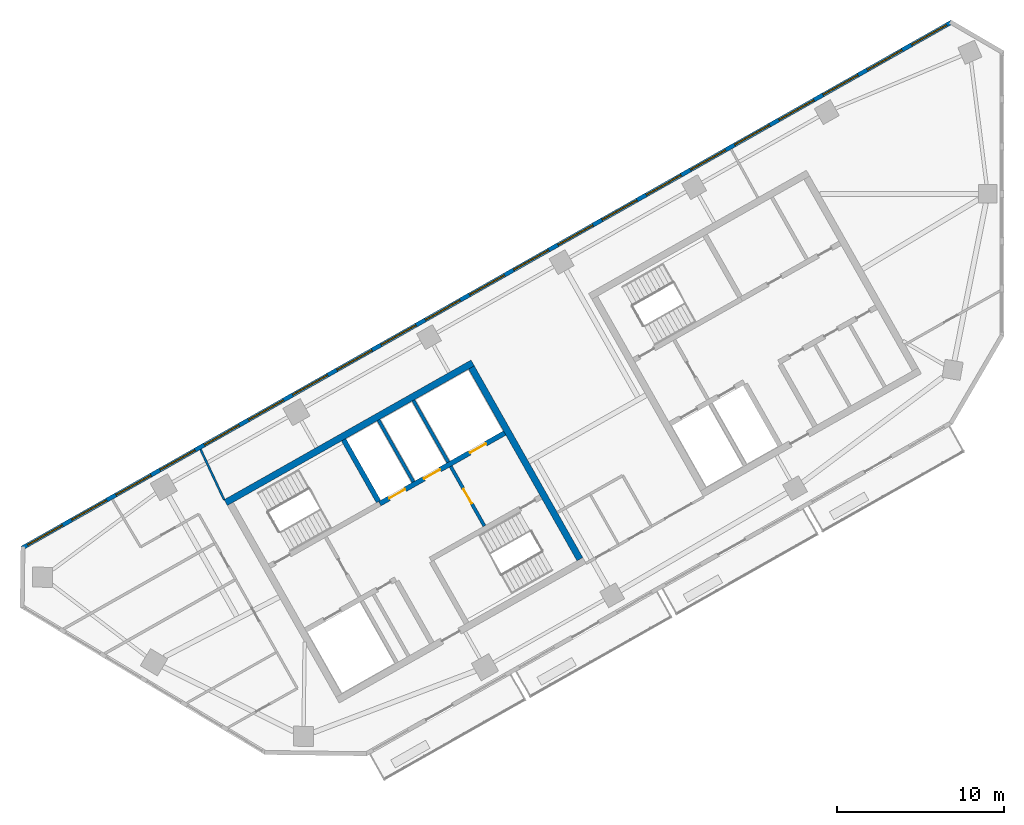
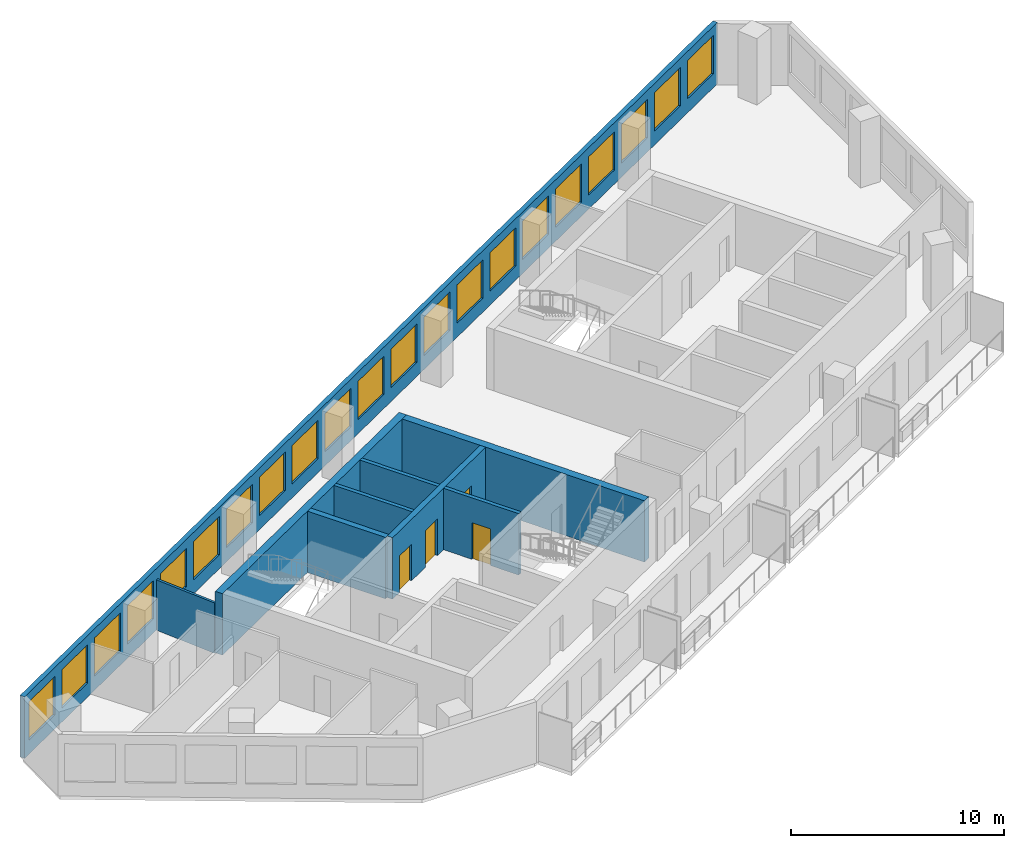
# One storey, part 3 of 7: 21 windows, 9 walls, 4 doors, 25 openings.
"""IFC4 building model written with IfcOpenShell, lengths in metres."""

import ifcopenshell
import ifcopenshell.guid

model = None  # the IFC model being written
_history = None  # IfcOwnerHistory: only IFC2X3 demands one
_inside = {}  # id of a spatial element -> (the spatial element, [elements in it])
_under = {}  # id of a project, library or spatial element -> (it, [spatial elements below it])
_declared = {}  # id of a project -> (the project, [libraries it declares])
_typed = {}  # id of a type object -> (the type object, [elements of that type])
_made_of = {}  # id of a material, layer set ... -> (it, [elements and type objects made of it])


def new_model(schema):
    """Start an empty IFC model of exactly this schema.

    Asked for "IFC4X3", IfcOpenShell would pick the latest addendum, in which some entities
    have other attributes; the version numbers below select the first issue.
    IFC2X3 requires an IfcOwnerHistory on every rooted entity: one is made here for all.
    """
    global model, _history
    if schema == "IFC4X3":
        model = ifcopenshell.file(schema_version=(4, 3, 0, 0))
    else:
        model = ifcopenshell.file(schema=schema)
    _inside.clear()
    _under.clear()
    _declared.clear()
    _typed.clear()
    _made_of.clear()
    _history = None
    if model.schema == "IFC2X3":
        org = make("IfcOrganization", Name="unknown")
        user = make(
            "IfcPersonAndOrganization",
            ThePerson=make("IfcPerson", FamilyName="unknown"),
            TheOrganization=org,
        )
        app = make(
            "IfcApplication",
            ApplicationDeveloper=org,
            Version="unknown",
            ApplicationFullName="unknown",
            ApplicationIdentifier="unknown",
        )
        _history = make(
            "IfcOwnerHistory",
            OwningUser=user,
            OwningApplication=app,
            ChangeAction="ADDED",
            CreationDate=0,
        )
    return model


def make(cls, **values):
    """One entity of the class cls with the attributes given. An attribute that is None is left unset."""
    return model.create_entity(
        cls, **{name: value for name, value in values.items() if value is not None}
    )


def rooted(cls, **values):
    """An entity with a GlobalId (a new one), such as an element, a storey or a relation."""
    return make(cls, GlobalId=ifcopenshell.guid.new(), OwnerHistory=_history, **values)


def si_unit(unit_type, name, prefix=None):
    """IfcSIUnit, for example si_unit("LENGTHUNIT", "METRE", prefix="MILLI")."""
    return make("IfcSIUnit", UnitType=unit_type, Prefix=prefix, Name=name)


def assignment(units):
    """IfcUnitAssignment: the units of a project."""
    return None if units is None else make("IfcUnitAssignment", Units=units)


def point(xyz):
    """IfcCartesianPoint."""
    return None if xyz is None else make("IfcCartesianPoint", Coordinates=xyz)


def direction(xyz):
    """IfcDirection."""
    return None if xyz is None else make("IfcDirection", DirectionRatios=xyz)


def frame(location, z_axis=None, x_axis=None):
    """IfcAxis2Placement3D, a coordinate frame: its origin and axes. An axis left out is left unset."""
    return make(
        "IfcAxis2Placement3D",
        Location=point(location),
        Axis=direction(z_axis),
        RefDirection=direction(x_axis),
    )


def frame_2d(location, x_axis=None):
    """IfcAxis2Placement2D, a coordinate frame in the plane: its origin and x axis."""
    return make(
        "IfcAxis2Placement2D", Location=point(location), RefDirection=direction(x_axis)
    )


def origin():
    """The frame at (0, 0, 0) with its axes left unset."""
    return frame((0.0, 0.0, 0.0))


def place(relative_to, where):
    """IfcLocalPlacement: puts the frame where relative to a parent placement (None: the world)."""
    return make(
        "IfcLocalPlacement", PlacementRelTo=relative_to, RelativePlacement=where
    )


def context(
    kind, dimensions, precision=None, world=None, true_north=None, identifier=None
):
    """IfcGeometricRepresentationContext, for example the 3D "Model" context."""
    return make(
        "IfcGeometricRepresentationContext",
        ContextIdentifier=identifier,
        ContextType=kind,
        CoordinateSpaceDimension=dimensions,
        Precision=precision,
        WorldCoordinateSystem=world,
        TrueNorth=true_north,
    )


def subcontext(parent, identifier, kind, view, scale=None):
    """IfcGeometricRepresentationSubContext, for example "Body" below "Model"."""
    return make(
        "IfcGeometricRepresentationSubContext",
        ContextIdentifier=identifier,
        ContextType=kind,
        ParentContext=parent,
        TargetScale=scale,
        TargetView=view,
    )


def project(units=None, contexts=None):
    """IfcProject with its units and contexts."""
    return rooted(
        "IfcProject",
        Name="project",
        RepresentationContexts=contexts,
        UnitsInContext=assignment(units),
    )


def spatial(cls, under=None, at=None, **own):
    """A site, building, storey or space (cls), placed at a placement, below another one or the project."""
    s = rooted(cls, ObjectPlacement=at, **own)
    if under is not None:
        _under.setdefault(under.id(), (under, []))[1].append(s)
    return s


def profile(cls, at=None, kind="AREA", **sizes):
    """A parametric profile (cls). Its sizes go by their IFC names, for example OverallWidth=200.0."""
    return make(cls, ProfileType=kind, Position=at, **sizes)


def rectangle(**sizes):
    """IfcRectangleProfileDef."""
    return profile("IfcRectangleProfileDef", **sizes)


def extrude(swept, where, along, depth):
    """IfcExtrudedAreaSolid: the profile swept, set in the frame where, extruded along a direction by depth."""
    return make(
        "IfcExtrudedAreaSolid",
        SweptArea=swept,
        Position=where,
        ExtrudedDirection=direction(along),
        Depth=depth,
    )


def shape(context_of_items, identifier, shape_type, items):
    """IfcShapeRepresentation: the items that make up one representation, for example the "Body"."""
    return make(
        "IfcShapeRepresentation",
        ContextOfItems=context_of_items,
        RepresentationIdentifier=identifier,
        RepresentationType=shape_type,
        Items=items,
    )


def material(Name=None, Category=None):
    """IfcMaterial."""
    return make("IfcMaterial", Name=Name, Category=Category)


def layer(
    of_material, thickness, ventilated=None, Name=None, Category=None, Priority=None
):
    """IfcMaterialLayer: one layer of a wall or slab, of a material (None: an air gap)."""
    return make(
        "IfcMaterialLayer",
        Material=of_material,
        LayerThickness=thickness,
        IsVentilated=ventilated,
        Name=Name,
        Category=Category,
        Priority=Priority,
    )


def layer_set(layers, Name=None):
    """IfcMaterialLayerSet."""
    return make("IfcMaterialLayerSet", MaterialLayers=layers, LayerSetName=Name)


def made_of(thing, what):
    """Note that an element or type object is made of a material, layer set ...; save() writes the relation."""
    if what is not None:
        _made_of.setdefault(what.id(), (what, []))[1].append(thing)
    return thing


def type_object(cls, material=None, **own):
    """A type object (cls), such as IfcWallType, which elements share."""
    return made_of(rooted(cls, **own), material)


def element(
    cls,
    number,
    at=None,
    inside=None,
    cuts=None,
    type_object=None,
    material=None,
    context=None,
    identifier="Body",
    shape_type=None,
    held_by="IfcProductDefinitionShape",
    body=None,
    shapes=None,
    **own,
):
    """One element of the class cls, such as IfcWall. Its Tag is "e" and its number.

    at: its placement. inside: the storey or other place that contains it. cuts: it is an
    opening in that element (IfcRelVoidsElement). A single representation is given by context,
    identifier, shape_type and body (its items); several are given by shapes. held_by: the class
    of the entity that holds the representations. save() writes the other relations.
    """
    e = rooted(cls, Tag="e%d" % number, ObjectPlacement=at, **own)
    if body is not None:
        shapes = [shape(context, identifier, shape_type, body)]
    if shapes is not None:
        e.Representation = make(held_by, Representations=shapes)
    if inside is not None:
        _inside.setdefault(inside.id(), (inside, []))[1].append(e)
    if cuts is not None:
        rooted(
            "IfcRelVoidsElement", RelatingBuildingElement=cuts, RelatedOpeningElement=e
        )
    if type_object is not None:
        _typed.setdefault(type_object.id(), (type_object, []))[1].append(e)
    return made_of(e, material)


def fill(opening, filler):
    """IfcRelFillsElement: the door or window that sits in an opening."""
    return rooted(
        "IfcRelFillsElement",
        RelatingOpeningElement=opening,
        RelatedBuildingElement=filler,
    )


def aggregate(whole, parts):
    """IfcRelAggregates: a whole, such as a stair, and the parts it consists of."""
    return rooted("IfcRelAggregates", RelatingObject=whole, RelatedObjects=parts)


def save(model, path):
    """Write the relations noted so far, then the file.

    IfcRelAggregates (storeys below a building ...), IfcRelContainedInSpatialStructure (elements
    in a storey), IfcRelDefinesByType, IfcRelAssociatesMaterial and IfcRelDeclares: one each for
    every whole, place, type object, material and project.
    """
    for whole, parts in _under.values():
        aggregate(whole, parts)
    for where, things in _inside.values():
        rooted(
            "IfcRelContainedInSpatialStructure",
            RelatedElements=things,
            RelatingStructure=where,
        )
    for kind, things in _typed.values():
        rooted("IfcRelDefinesByType", RelatedObjects=things, RelatingType=kind)
    for what, things in _made_of.values():
        rooted("IfcRelAssociatesMaterial", RelatedObjects=things, RelatingMaterial=what)
    for by, libraries in _declared.values():
        rooted("IfcRelDeclares", RelatingContext=by, RelatedDefinitions=libraries)
    model.write(path)


model = new_model("IFC4")

# Units and contexts
model_context = context("Model", 3, precision=1e-05, world=origin(), true_north=direction((0.0, 1.0)))
body_context = subcontext(model_context, "Body", "Model", "MODEL_VIEW")
ifc_project = project(units=[si_unit("LENGTHUNIT", "METRE"), si_unit("AREAUNIT", "SQUARE_METRE"), si_unit("VOLUMEUNIT", "CUBIC_METRE"), si_unit("PLANEANGLEUNIT", "RADIAN"), si_unit("MASSUNIT", "GRAM", prefix="KILO")], contexts=[model_context])

# Site, building, storey
site_placement = place(None, origin())
site = spatial("IfcSite", under=ifc_project, at=site_placement, CompositionType="ELEMENT")
building_placement = place(site_placement, origin())
building = spatial("IfcBuilding", under=site, at=building_placement, Name="Binnacle Exchange Tower", CompositionType="ELEMENT")
storey_placement = place(building_placement, frame((0.0, 0.0, 296.89990234375)))
storey = spatial("IfcBuildingStorey", under=building, at=storey_placement, Name="L66", CompositionType="ELEMENT", Elevation=296.89990234375)

# Wall, openings, doors
ifc_material_1 = material(Name="Concrete C70/85", Category="concrete")
ifc_layer_1 = layer(ifc_material_1, 0.300048828125)
ifc_layer_set_1 = layer_set([ifc_layer_1], Name="Core wall - front 300")
wall_type_1 = type_object("IfcWallType", Name="Core wall - front 300", PredefinedType="SOLIDWALL", material=ifc_layer_set_1)
wall_1_placement = place(storey_placement, frame((-37.281982421875, 41.4345703125, 0.0), z_axis=(0.0, 0.0, 1.0), x_axis=(0.870361315115, 0.492413628113, 0.0)))
wall_1 = element("IfcWall", 1, at=wall_1_placement, inside=storey, type_object=wall_type_1, Name="Core wall CRWA5", PredefinedType="SOLIDWALL", context=body_context, shape_type="SweptSolid", body=[
    extrude(rectangle(XDim=8.599609375, YDim=0.300048828125, at=frame_2d((4.2998046875, 0.0))), origin(), (0.0, 0.0, 1.0), 3.52001953125),
])
opening_1_placement = place(wall_1_placement, frame((0.650146484375, 0.0, 0.0)))
opening_1 = element("IfcOpeningElement", 2, at=opening_1_placement, cuts=wall_1, Name="Opening LD9", PredefinedType="OPENING", context=body_context, shape_type="SweptSolid", body=[
    extrude(rectangle(XDim=1.10009765625, YDim=2.10009765625, at=frame_2d((0.550048828125, 1.050048828125))), frame((0.0, 0.159912109375, 0.0), z_axis=(0.0, -1.0, 0.0), x_axis=(1.0, 0.0, 0.0)), (0.0, 0.0, 1.0), 0.320068359375),
])
opening_2_placement = place(wall_1_placement, frame((3.050048828125, 0.0, 0.0)))
opening_2 = element("IfcOpeningElement", 3, at=opening_2_placement, cuts=wall_1, Name="Opening LD10", PredefinedType="OPENING", context=body_context, shape_type="SweptSolid", body=[
    extrude(rectangle(XDim=1.10009765625, YDim=2.10009765625, at=frame_2d((0.550048828125, 1.050048828125))), frame((0.0, 0.159912109375, 0.0), z_axis=(0.0, -1.0, 0.0), x_axis=(1.0, 0.0, 0.0)), (0.0, 0.0, 1.0), 0.320068359375),
])
opening_3_placement = place(wall_1_placement, frame((6.199951171875, 0.0, 0.0)))
opening_3 = element("IfcOpeningElement", 4, at=opening_3_placement, cuts=wall_1, Name="Opening LD13", PredefinedType="OPENING", context=body_context, shape_type="SweptSolid", body=[
    extrude(rectangle(XDim=1.10009765625, YDim=2.10009765625, at=frame_2d((0.550048828125, 1.050048828125))), frame((0.0, 0.159912109375, 0.0), z_axis=(0.0, -1.0, 0.0), x_axis=(1.0, 0.0, 0.0)), (0.0, 0.0, 1.0), 0.320068359375),
])
ifc_material_2 = material(Name="Steel door leaf", Category="steel")
door_type_1 = type_object("IfcDoorType", Name="Fire door - lift landing 1100", OperationType="NOTDEFINED", PredefinedType="DOOR", material=ifc_material_2)
door_1_placement = place(opening_1_placement, origin())
door_1 = element("IfcDoor", 5, at=door_1_placement, inside=storey, type_object=door_type_1, Name="Landing door LD9 L66", OperationType="DOUBLE_DOOR_SLIDING", OverallHeight=2.10009765625, OverallWidth=1.10009765625, PredefinedType="DOOR", context=body_context, shape_type="SweptSolid", body=[
    extrude(rectangle(XDim=1.10009765625, YDim=2.10009765625, at=frame_2d((0.550048828125, 1.050048828125))), frame((0.0, 0.02490234375, 0.0), z_axis=(0.0, -1.0, 0.0), x_axis=(1.0, 0.0, 0.0)), (0.0, 0.0, 1.0), 0.050048828125),
])
fill(opening_1, door_1)
door_2_placement = place(opening_2_placement, origin())
door_2 = element("IfcDoor", 6, at=door_2_placement, inside=storey, type_object=door_type_1, Name="Landing door LD10 L66", OperationType="DOUBLE_DOOR_SLIDING", OverallHeight=2.10009765625, OverallWidth=1.10009765625, PredefinedType="DOOR", context=body_context, shape_type="SweptSolid", body=[
    extrude(rectangle(XDim=1.10009765625, YDim=2.10009765625, at=frame_2d((0.550048828125, 1.050048828125))), frame((0.0, 0.02490234375, 0.0), z_axis=(0.0, -1.0, 0.0), x_axis=(1.0, 0.0, 0.0)), (0.0, 0.0, 1.0), 0.050048828125),
])
fill(opening_2, door_2)
door_3_placement = place(opening_3_placement, origin())
door_3 = element("IfcDoor", 7, at=door_3_placement, inside=storey, type_object=door_type_1, Name="Landing door LD13 L66", OperationType="DOUBLE_DOOR_SLIDING", OverallHeight=2.10009765625, OverallWidth=1.10009765625, PredefinedType="DOOR", context=body_context, shape_type="SweptSolid", body=[
    extrude(rectangle(XDim=1.10009765625, YDim=2.10009765625, at=frame_2d((0.550048828125, 1.050048828125))), frame((0.0, 0.02490234375, 0.0), z_axis=(0.0, -1.0, 0.0), x_axis=(1.0, 0.0, 0.0)), (0.0, 0.0, 1.0), 0.050048828125),
])
fill(opening_3, door_3)

# Walls
ifc_layer_2 = layer(ifc_material_1, 0.39990234375)
ifc_layer_set_2 = layer_set([ifc_layer_2], Name="Core wall - outer 400")
wall_type_2 = type_object("IfcWallType", Name="Core wall - outer 400", PredefinedType="SOLIDWALL", material=ifc_layer_set_2)
wall_2_placement = place(storey_placement, frame((-46.510009765625, 41.498779296875, 0.0), z_axis=(0.0, 0.0, 1.0), x_axis=(0.870356271124, 0.492422543467, 0.0)))
element("IfcWall", 8, at=wall_2_placement, inside=storey, type_object=wall_type_2, Name="Core wall CRWA6", PredefinedType="SOLIDWALL", context=body_context, shape_type="SweptSolid", body=[
    extrude(rectangle(XDim=16.999755859375, YDim=0.39990234375, at=frame_2d((8.5, 0.0))), origin(), (0.0, 0.0, 1.0), 3.52001953125),
])
wall_3_placement = place(storey_placement, frame((-31.78955078125, 49.597412109375, 0.0), z_axis=(0.0, 0.0, 1.0), x_axis=(0.492421663121, -0.870356769198, 0.0)))
element("IfcWall", 9, at=wall_3_placement, inside=storey, type_object=wall_type_2, Name="Core wall CRWA22", PredefinedType="SOLIDWALL", context=body_context, shape_type="SweptSolid", body=[
    extrude(rectangle(XDim=13.199951171875, YDim=0.39990234375, at=frame_2d((6.60009765625, 0.0))), origin(), (0.0, 0.0, 1.0), 3.52001953125),
])
ifc_layer_3 = layer(ifc_material_1, 0.300048828125)
ifc_layer_set_3 = layer_set([ifc_layer_3], Name="Core wall - stair 300")
wall_type_3 = type_object("IfcWallType", Name="Core wall - stair 300", PredefinedType="SOLIDWALL", material=ifc_layer_set_3)
wall_4_placement = place(storey_placement, frame((-39.44873046875, 45.263916015625, 0.0), z_axis=(0.0, 0.0, 1.0), x_axis=(0.492422543467, -0.870356271124, 0.0)))
element("IfcWall", 10, at=wall_4_placement, inside=storey, type_object=wall_type_3, Name="Core wall CRWA14", PredefinedType="SOLIDWALL", context=body_context, shape_type="SweptSolid", body=[
    extrude(rectangle(XDim=4.25, YDim=0.300048828125, at=frame_2d((2.125, 0.0))), origin(), (0.0, 0.0, 1.0), 3.52001953125),
])

# Wall, openings, windows
ifc_material_3 = material(Name="Bronze aluminium cladding", Category="aluminium")
ifc_layer_4 = layer(ifc_material_3, 0.25)
ifc_layer_set_4 = layer_set([ifc_layer_4], Name="External wall - window wall 250")
wall_type_4 = type_object("IfcWallType", Name="External wall - window wall 250", PredefinedType="STANDARD", material=ifc_layer_set_4)
wall_5_placement = place(storey_placement, frame((-58.732177734375, 38.770751953125, 0.0), z_axis=(0.0, 0.0, 1.0), x_axis=(0.870355615581, 0.492423702137, 0.0)))
wall_5 = element("IfcWall", 11, at=wall_5_placement, inside=storey, type_object=wall_type_4, Name="External wall EW-H03 L66", PredefinedType="STANDARD", context=body_context, shape_type="SweptSolid", body=[
    extrude(rectangle(XDim=64.052490234375, YDim=0.25, at=frame_2d((32.0263671875, 0.0))), origin(), (0.0, 0.0, 1.0), 3.52001953125),
])
opening_4_placement = place(wall_5_placement, frame((61.25927734375, 0.0, 0.800048828125)))
opening_4 = element("IfcOpeningElement", 12, at=opening_4_placement, cuts=wall_5, Name="Opening WR2", PredefinedType="OPENING", context=body_context, shape_type="SweptSolid", body=[
    extrude(rectangle(XDim=2.39990234375, YDim=2.199951171875, at=frame_2d((1.199951171875, 1.10009765625))), frame((0.0, 0.135009765625, 0.0), z_axis=(0.0, -1.0, 0.0), x_axis=(1.0, 0.0, 0.0)), (0.0, 0.0, 1.0), 0.27001953125),
])
opening_5_placement = place(wall_5_placement, frame((58.2158203125, 0.0, 0.800048828125)))
opening_5 = element("IfcOpeningElement", 13, at=opening_5_placement, cuts=wall_5, Name="Opening WR2", PredefinedType="OPENING", context=body_context, shape_type="SweptSolid", body=[
    extrude(rectangle(XDim=2.39990234375, YDim=2.199951171875, at=frame_2d((1.199951171875, 1.10009765625))), frame((0.0, 0.135009765625, 0.0), z_axis=(0.0, -1.0, 0.0), x_axis=(1.0, 0.0, 0.0)), (0.0, 0.0, 1.0), 0.27001953125),
])
opening_6_placement = place(wall_5_placement, frame((55.172607421875, 0.0, 0.800048828125)))
opening_6 = element("IfcOpeningElement", 14, at=opening_6_placement, cuts=wall_5, Name="Opening WR2", PredefinedType="OPENING", context=body_context, shape_type="SweptSolid", body=[
    extrude(rectangle(XDim=2.39990234375, YDim=2.199951171875, at=frame_2d((1.199951171875, 1.10009765625))), frame((0.0, 0.135009765625, 0.0), z_axis=(0.0, -1.0, 0.0), x_axis=(1.0, 0.0, 0.0)), (0.0, 0.0, 1.0), 0.27001953125),
])
opening_7_placement = place(wall_5_placement, frame((52.12939453125, 0.0, 0.800048828125)))
opening_7 = element("IfcOpeningElement", 15, at=opening_7_placement, cuts=wall_5, Name="Opening WR2", PredefinedType="OPENING", context=body_context, shape_type="SweptSolid", body=[
    extrude(rectangle(XDim=2.39990234375, YDim=2.199951171875, at=frame_2d((1.199951171875, 1.10009765625))), frame((0.0, 0.135009765625, 0.0), z_axis=(0.0, -1.0, 0.0), x_axis=(1.0, 0.0, 0.0)), (0.0, 0.0, 1.0), 0.27001953125),
])
opening_8_placement = place(wall_5_placement, frame((49.0859375, 0.0, 0.800048828125)))
opening_8 = element("IfcOpeningElement", 16, at=opening_8_placement, cuts=wall_5, Name="Opening WR2", PredefinedType="OPENING", context=body_context, shape_type="SweptSolid", body=[
    extrude(rectangle(XDim=2.39990234375, YDim=2.199951171875, at=frame_2d((1.199951171875, 1.10009765625))), frame((0.0, 0.135009765625, 0.0), z_axis=(0.0, -1.0, 0.0), x_axis=(1.0, 0.0, 0.0)), (0.0, 0.0, 1.0), 0.27001953125),
])
opening_9_placement = place(wall_5_placement, frame((46.042724609375, 0.0, 0.800048828125)))
opening_9 = element("IfcOpeningElement", 17, at=opening_9_placement, cuts=wall_5, Name="Opening WR2", PredefinedType="OPENING", context=body_context, shape_type="SweptSolid", body=[
    extrude(rectangle(XDim=2.39990234375, YDim=2.199951171875, at=frame_2d((1.199951171875, 1.10009765625))), frame((0.0, 0.135009765625, 0.0), z_axis=(0.0, -1.0, 0.0), x_axis=(1.0, 0.0, 0.0)), (0.0, 0.0, 1.0), 0.27001953125),
])
opening_10_placement = place(wall_5_placement, frame((42.99951171875, 0.0, 0.800048828125)))
opening_10 = element("IfcOpeningElement", 18, at=opening_10_placement, cuts=wall_5, Name="Opening WR2", PredefinedType="OPENING", context=body_context, shape_type="SweptSolid", body=[
    extrude(rectangle(XDim=2.39990234375, YDim=2.199951171875, at=frame_2d((1.199951171875, 1.10009765625))), frame((0.0, 0.135009765625, 0.0), z_axis=(0.0, -1.0, 0.0), x_axis=(1.0, 0.0, 0.0)), (0.0, 0.0, 1.0), 0.27001953125),
])
opening_11_placement = place(wall_5_placement, frame((39.956298828125, 0.0, 0.800048828125)))
opening_11 = element("IfcOpeningElement", 19, at=opening_11_placement, cuts=wall_5, Name="Opening WR2", PredefinedType="OPENING", context=body_context, shape_type="SweptSolid", body=[
    extrude(rectangle(XDim=2.39990234375, YDim=2.199951171875, at=frame_2d((1.199951171875, 1.10009765625))), frame((0.0, 0.135009765625, 0.0), z_axis=(0.0, -1.0, 0.0), x_axis=(1.0, 0.0, 0.0)), (0.0, 0.0, 1.0), 0.27001953125),
])
opening_12_placement = place(wall_5_placement, frame((36.912841796875, 0.0, 0.800048828125)))
opening_12 = element("IfcOpeningElement", 20, at=opening_12_placement, cuts=wall_5, Name="Opening WR2", PredefinedType="OPENING", context=body_context, shape_type="SweptSolid", body=[
    extrude(rectangle(XDim=2.39990234375, YDim=2.199951171875, at=frame_2d((1.199951171875, 1.10009765625))), frame((0.0, 0.135009765625, 0.0), z_axis=(0.0, -1.0, 0.0), x_axis=(1.0, 0.0, 0.0)), (0.0, 0.0, 1.0), 0.27001953125),
])
opening_13_placement = place(wall_5_placement, frame((33.86962890625, 0.0, 0.800048828125)))
opening_13 = element("IfcOpeningElement", 21, at=opening_13_placement, cuts=wall_5, Name="Opening WR2", PredefinedType="OPENING", context=body_context, shape_type="SweptSolid", body=[
    extrude(rectangle(XDim=2.39990234375, YDim=2.199951171875, at=frame_2d((1.199951171875, 1.10009765625))), frame((0.0, 0.135009765625, 0.0), z_axis=(0.0, -1.0, 0.0), x_axis=(1.0, 0.0, 0.0)), (0.0, 0.0, 1.0), 0.27001953125),
])
opening_14_placement = place(wall_5_placement, frame((30.826416015625, 0.0, 0.800048828125)))
opening_14 = element("IfcOpeningElement", 22, at=opening_14_placement, cuts=wall_5, Name="Opening WR2", PredefinedType="OPENING", context=body_context, shape_type="SweptSolid", body=[
    extrude(rectangle(XDim=2.39990234375, YDim=2.199951171875, at=frame_2d((1.199951171875, 1.10009765625))), frame((0.0, 0.135009765625, 0.0), z_axis=(0.0, -1.0, 0.0), x_axis=(1.0, 0.0, 0.0)), (0.0, 0.0, 1.0), 0.27001953125),
])
opening_15_placement = place(wall_5_placement, frame((27.782958984375, 0.0, 0.800048828125)))
opening_15 = element("IfcOpeningElement", 23, at=opening_15_placement, cuts=wall_5, Name="Opening WR2", PredefinedType="OPENING", context=body_context, shape_type="SweptSolid", body=[
    extrude(rectangle(XDim=2.39990234375, YDim=2.199951171875, at=frame_2d((1.199951171875, 1.10009765625))), frame((0.0, 0.135009765625, 0.0), z_axis=(0.0, -1.0, 0.0), x_axis=(1.0, 0.0, 0.0)), (0.0, 0.0, 1.0), 0.27001953125),
])
opening_16_placement = place(wall_5_placement, frame((24.73974609375, 0.0, 0.800048828125)))
opening_16 = element("IfcOpeningElement", 24, at=opening_16_placement, cuts=wall_5, Name="Opening WR2", PredefinedType="OPENING", context=body_context, shape_type="SweptSolid", body=[
    extrude(rectangle(XDim=2.39990234375, YDim=2.199951171875, at=frame_2d((1.199951171875, 1.10009765625))), frame((0.0, 0.135009765625, 0.0), z_axis=(0.0, -1.0, 0.0), x_axis=(1.0, 0.0, 0.0)), (0.0, 0.0, 1.0), 0.27001953125),
])
opening_17_placement = place(wall_5_placement, frame((21.6962890625, 0.0, 0.800048828125)))
opening_17 = element("IfcOpeningElement", 25, at=opening_17_placement, cuts=wall_5, Name="Opening WR2", PredefinedType="OPENING", context=body_context, shape_type="SweptSolid", body=[
    extrude(rectangle(XDim=2.39990234375, YDim=2.199951171875, at=frame_2d((1.199951171875, 1.10009765625))), frame((0.0, 0.135009765625, 0.0), z_axis=(0.0, -1.0, 0.0), x_axis=(1.0, 0.0, 0.0)), (0.0, 0.0, 1.0), 0.27001953125),
])
opening_18_placement = place(wall_5_placement, frame((18.6533203125, 0.0, 0.800048828125)))
opening_18 = element("IfcOpeningElement", 26, at=opening_18_placement, cuts=wall_5, Name="Opening WR2", PredefinedType="OPENING", context=body_context, shape_type="SweptSolid", body=[
    extrude(rectangle(XDim=2.39990234375, YDim=2.199951171875, at=frame_2d((1.199951171875, 1.10009765625))), frame((0.0, 0.135009765625, 0.0), z_axis=(0.0, -1.0, 0.0), x_axis=(1.0, 0.0, 0.0)), (0.0, 0.0, 1.0), 0.27001953125),
])
opening_19_placement = place(wall_5_placement, frame((15.60986328125, 0.0, 0.800048828125)))
opening_19 = element("IfcOpeningElement", 27, at=opening_19_placement, cuts=wall_5, Name="Opening WR2", PredefinedType="OPENING", context=body_context, shape_type="SweptSolid", body=[
    extrude(rectangle(XDim=2.39990234375, YDim=2.199951171875, at=frame_2d((1.199951171875, 1.10009765625))), frame((0.0, 0.135009765625, 0.0), z_axis=(0.0, -1.0, 0.0), x_axis=(1.0, 0.0, 0.0)), (0.0, 0.0, 1.0), 0.27001953125),
])
opening_20_placement = place(wall_5_placement, frame((12.566650390625, 0.0, 0.800048828125)))
opening_20 = element("IfcOpeningElement", 28, at=opening_20_placement, cuts=wall_5, Name="Opening WR2", PredefinedType="OPENING", context=body_context, shape_type="SweptSolid", body=[
    extrude(rectangle(XDim=2.39990234375, YDim=2.199951171875, at=frame_2d((1.199951171875, 1.10009765625))), frame((0.0, 0.135009765625, 0.0), z_axis=(0.0, -1.0, 0.0), x_axis=(1.0, 0.0, 0.0)), (0.0, 0.0, 1.0), 0.27001953125),
])
opening_21_placement = place(wall_5_placement, frame((9.523193359375, 0.0, 0.800048828125)))
opening_21 = element("IfcOpeningElement", 29, at=opening_21_placement, cuts=wall_5, Name="Opening WR2", PredefinedType="OPENING", context=body_context, shape_type="SweptSolid", body=[
    extrude(rectangle(XDim=2.39990234375, YDim=2.199951171875, at=frame_2d((1.199951171875, 1.10009765625))), frame((0.0, 0.135009765625, 0.0), z_axis=(0.0, -1.0, 0.0), x_axis=(1.0, 0.0, 0.0)), (0.0, 0.0, 1.0), 0.27001953125),
])
opening_22_placement = place(wall_5_placement, frame((6.47998046875, 0.0, 0.800048828125)))
opening_22 = element("IfcOpeningElement", 30, at=opening_22_placement, cuts=wall_5, Name="Opening WR2", PredefinedType="OPENING", context=body_context, shape_type="SweptSolid", body=[
    extrude(rectangle(XDim=2.39990234375, YDim=2.199951171875, at=frame_2d((1.199951171875, 1.10009765625))), frame((0.0, 0.135009765625, 0.0), z_axis=(0.0, -1.0, 0.0), x_axis=(1.0, 0.0, 0.0)), (0.0, 0.0, 1.0), 0.27001953125),
])
opening_23_placement = place(wall_5_placement, frame((3.436767578125, 0.0, 0.800048828125)))
opening_23 = element("IfcOpeningElement", 31, at=opening_23_placement, cuts=wall_5, Name="Opening WR2", PredefinedType="OPENING", context=body_context, shape_type="SweptSolid", body=[
    extrude(rectangle(XDim=2.39990234375, YDim=2.199951171875, at=frame_2d((1.199951171875, 1.10009765625))), frame((0.0, 0.135009765625, 0.0), z_axis=(0.0, -1.0, 0.0), x_axis=(1.0, 0.0, 0.0)), (0.0, 0.0, 1.0), 0.27001953125),
])
opening_24_placement = place(wall_5_placement, frame((0.393310546875, 0.0, 0.800048828125)))
opening_24 = element("IfcOpeningElement", 32, at=opening_24_placement, cuts=wall_5, Name="Opening WR2", PredefinedType="OPENING", context=body_context, shape_type="SweptSolid", body=[
    extrude(rectangle(XDim=2.39990234375, YDim=2.199951171875, at=frame_2d((1.199951171875, 1.10009765625))), frame((0.0, 0.135009765625, 0.0), z_axis=(0.0, -1.0, 0.0), x_axis=(1.0, 0.0, 0.0)), (0.0, 0.0, 1.0), 0.27001953125),
])
ifc_material_4 = material(Name="Bronze anodised aluminium frame", Category="aluminium")
window_type = type_object("IfcWindowType", Name="WR2 WINDOW 2400x2200", PartitioningType="SINGLE_PANEL", PredefinedType="WINDOW", material=ifc_material_4)
window_1_placement = place(opening_4_placement, origin())
window_1 = element("IfcWindow", 33, at=window_1_placement, inside=storey, type_object=window_type, Name="Window WR2 L66", OverallHeight=2.199951171875, OverallWidth=2.39990234375, PartitioningType="SINGLE_PANEL", PredefinedType="WINDOW", context=body_context, shape_type="SweptSolid", body=[
    extrude(rectangle(XDim=2.39990234375, YDim=2.199951171875, at=frame_2d((1.199951171875, 1.10009765625))), frame((0.0, 0.030029296875, 0.0), z_axis=(0.0, -1.0, 0.0), x_axis=(1.0, 0.0, 0.0)), (0.0, 0.0, 1.0), 0.06005859375),
])
fill(opening_4, window_1)
window_2_placement = place(opening_5_placement, origin())
window_2 = element("IfcWindow", 34, at=window_2_placement, inside=storey, type_object=window_type, Name="Window WR2 L66", OverallHeight=2.199951171875, OverallWidth=2.39990234375, PartitioningType="SINGLE_PANEL", PredefinedType="WINDOW", context=body_context, shape_type="SweptSolid", body=[
    extrude(rectangle(XDim=2.39990234375, YDim=2.199951171875, at=frame_2d((1.199951171875, 1.10009765625))), frame((0.0, 0.030029296875, 0.0), z_axis=(0.0, -1.0, 0.0), x_axis=(1.0, 0.0, 0.0)), (0.0, 0.0, 1.0), 0.06005859375),
])
fill(opening_5, window_2)
window_3_placement = place(opening_6_placement, origin())
window_3 = element("IfcWindow", 35, at=window_3_placement, inside=storey, type_object=window_type, Name="Window WR2 L66", OverallHeight=2.199951171875, OverallWidth=2.39990234375, PartitioningType="SINGLE_PANEL", PredefinedType="WINDOW", context=body_context, shape_type="SweptSolid", body=[
    extrude(rectangle(XDim=2.39990234375, YDim=2.199951171875, at=frame_2d((1.199951171875, 1.10009765625))), frame((0.0, 0.030029296875, 0.0), z_axis=(0.0, -1.0, 0.0), x_axis=(1.0, 0.0, 0.0)), (0.0, 0.0, 1.0), 0.06005859375),
])
fill(opening_6, window_3)
window_4_placement = place(opening_7_placement, origin())
window_4 = element("IfcWindow", 36, at=window_4_placement, inside=storey, type_object=window_type, Name="Window WR2 L66", OverallHeight=2.199951171875, OverallWidth=2.39990234375, PartitioningType="SINGLE_PANEL", PredefinedType="WINDOW", context=body_context, shape_type="SweptSolid", body=[
    extrude(rectangle(XDim=2.39990234375, YDim=2.199951171875, at=frame_2d((1.199951171875, 1.10009765625))), frame((0.0, 0.030029296875, 0.0), z_axis=(0.0, -1.0, 0.0), x_axis=(1.0, 0.0, 0.0)), (0.0, 0.0, 1.0), 0.06005859375),
])
fill(opening_7, window_4)
window_5_placement = place(opening_8_placement, origin())
window_5 = element("IfcWindow", 37, at=window_5_placement, inside=storey, type_object=window_type, Name="Window WR2 L66", OverallHeight=2.199951171875, OverallWidth=2.39990234375, PartitioningType="SINGLE_PANEL", PredefinedType="WINDOW", context=body_context, shape_type="SweptSolid", body=[
    extrude(rectangle(XDim=2.39990234375, YDim=2.199951171875, at=frame_2d((1.199951171875, 1.10009765625))), frame((0.0, 0.030029296875, 0.0), z_axis=(0.0, -1.0, 0.0), x_axis=(1.0, 0.0, 0.0)), (0.0, 0.0, 1.0), 0.06005859375),
])
fill(opening_8, window_5)
window_6_placement = place(opening_9_placement, origin())
window_6 = element("IfcWindow", 38, at=window_6_placement, inside=storey, type_object=window_type, Name="Window WR2 L66", OverallHeight=2.199951171875, OverallWidth=2.39990234375, PartitioningType="SINGLE_PANEL", PredefinedType="WINDOW", context=body_context, shape_type="SweptSolid", body=[
    extrude(rectangle(XDim=2.39990234375, YDim=2.199951171875, at=frame_2d((1.199951171875, 1.10009765625))), frame((0.0, 0.030029296875, 0.0), z_axis=(0.0, -1.0, 0.0), x_axis=(1.0, 0.0, 0.0)), (0.0, 0.0, 1.0), 0.06005859375),
])
fill(opening_9, window_6)
window_7_placement = place(opening_10_placement, origin())
window_7 = element("IfcWindow", 39, at=window_7_placement, inside=storey, type_object=window_type, Name="Window WR2 L66", OverallHeight=2.199951171875, OverallWidth=2.39990234375, PartitioningType="SINGLE_PANEL", PredefinedType="WINDOW", context=body_context, shape_type="SweptSolid", body=[
    extrude(rectangle(XDim=2.39990234375, YDim=2.199951171875, at=frame_2d((1.199951171875, 1.10009765625))), frame((0.0, 0.030029296875, 0.0), z_axis=(0.0, -1.0, 0.0), x_axis=(1.0, 0.0, 0.0)), (0.0, 0.0, 1.0), 0.06005859375),
])
fill(opening_10, window_7)
window_8_placement = place(opening_11_placement, origin())
window_8 = element("IfcWindow", 40, at=window_8_placement, inside=storey, type_object=window_type, Name="Window WR2 L66", OverallHeight=2.199951171875, OverallWidth=2.39990234375, PartitioningType="SINGLE_PANEL", PredefinedType="WINDOW", context=body_context, shape_type="SweptSolid", body=[
    extrude(rectangle(XDim=2.39990234375, YDim=2.199951171875, at=frame_2d((1.199951171875, 1.10009765625))), frame((0.0, 0.030029296875, 0.0), z_axis=(0.0, -1.0, 0.0), x_axis=(1.0, 0.0, 0.0)), (0.0, 0.0, 1.0), 0.06005859375),
])
fill(opening_11, window_8)
window_9_placement = place(opening_12_placement, origin())
window_9 = element("IfcWindow", 41, at=window_9_placement, inside=storey, type_object=window_type, Name="Window WR2 L66", OverallHeight=2.199951171875, OverallWidth=2.39990234375, PartitioningType="SINGLE_PANEL", PredefinedType="WINDOW", context=body_context, shape_type="SweptSolid", body=[
    extrude(rectangle(XDim=2.39990234375, YDim=2.199951171875, at=frame_2d((1.199951171875, 1.10009765625))), frame((0.0, 0.030029296875, 0.0), z_axis=(0.0, -1.0, 0.0), x_axis=(1.0, 0.0, 0.0)), (0.0, 0.0, 1.0), 0.06005859375),
])
fill(opening_12, window_9)
window_10_placement = place(opening_13_placement, origin())
window_10 = element("IfcWindow", 42, at=window_10_placement, inside=storey, type_object=window_type, Name="Window WR2 L66", OverallHeight=2.199951171875, OverallWidth=2.39990234375, PartitioningType="SINGLE_PANEL", PredefinedType="WINDOW", context=body_context, shape_type="SweptSolid", body=[
    extrude(rectangle(XDim=2.39990234375, YDim=2.199951171875, at=frame_2d((1.199951171875, 1.10009765625))), frame((0.0, 0.030029296875, 0.0), z_axis=(0.0, -1.0, 0.0), x_axis=(1.0, 0.0, 0.0)), (0.0, 0.0, 1.0), 0.06005859375),
])
fill(opening_13, window_10)
window_11_placement = place(opening_14_placement, origin())
window_11 = element("IfcWindow", 43, at=window_11_placement, inside=storey, type_object=window_type, Name="Window WR2 L66", OverallHeight=2.199951171875, OverallWidth=2.39990234375, PartitioningType="SINGLE_PANEL", PredefinedType="WINDOW", context=body_context, shape_type="SweptSolid", body=[
    extrude(rectangle(XDim=2.39990234375, YDim=2.199951171875, at=frame_2d((1.199951171875, 1.10009765625))), frame((0.0, 0.030029296875, 0.0), z_axis=(0.0, -1.0, 0.0), x_axis=(1.0, 0.0, 0.0)), (0.0, 0.0, 1.0), 0.06005859375),
])
fill(opening_14, window_11)
window_12_placement = place(opening_15_placement, origin())
window_12 = element("IfcWindow", 44, at=window_12_placement, inside=storey, type_object=window_type, Name="Window WR2 L66", OverallHeight=2.199951171875, OverallWidth=2.39990234375, PartitioningType="SINGLE_PANEL", PredefinedType="WINDOW", context=body_context, shape_type="SweptSolid", body=[
    extrude(rectangle(XDim=2.39990234375, YDim=2.199951171875, at=frame_2d((1.199951171875, 1.10009765625))), frame((0.0, 0.030029296875, 0.0), z_axis=(0.0, -1.0, 0.0), x_axis=(1.0, 0.0, 0.0)), (0.0, 0.0, 1.0), 0.06005859375),
])
fill(opening_15, window_12)
window_13_placement = place(opening_16_placement, origin())
window_13 = element("IfcWindow", 45, at=window_13_placement, inside=storey, type_object=window_type, Name="Window WR2 L66", OverallHeight=2.199951171875, OverallWidth=2.39990234375, PartitioningType="SINGLE_PANEL", PredefinedType="WINDOW", context=body_context, shape_type="SweptSolid", body=[
    extrude(rectangle(XDim=2.39990234375, YDim=2.199951171875, at=frame_2d((1.199951171875, 1.10009765625))), frame((0.0, 0.030029296875, 0.0), z_axis=(0.0, -1.0, 0.0), x_axis=(1.0, 0.0, 0.0)), (0.0, 0.0, 1.0), 0.06005859375),
])
fill(opening_16, window_13)
window_14_placement = place(opening_17_placement, origin())
window_14 = element("IfcWindow", 46, at=window_14_placement, inside=storey, type_object=window_type, Name="Window WR2 L66", OverallHeight=2.199951171875, OverallWidth=2.39990234375, PartitioningType="SINGLE_PANEL", PredefinedType="WINDOW", context=body_context, shape_type="SweptSolid", body=[
    extrude(rectangle(XDim=2.39990234375, YDim=2.199951171875, at=frame_2d((1.199951171875, 1.10009765625))), frame((0.0, 0.030029296875, 0.0), z_axis=(0.0, -1.0, 0.0), x_axis=(1.0, 0.0, 0.0)), (0.0, 0.0, 1.0), 0.06005859375),
])
fill(opening_17, window_14)
window_15_placement = place(opening_18_placement, origin())
window_15 = element("IfcWindow", 47, at=window_15_placement, inside=storey, type_object=window_type, Name="Window WR2 L66", OverallHeight=2.199951171875, OverallWidth=2.39990234375, PartitioningType="SINGLE_PANEL", PredefinedType="WINDOW", context=body_context, shape_type="SweptSolid", body=[
    extrude(rectangle(XDim=2.39990234375, YDim=2.199951171875, at=frame_2d((1.199951171875, 1.10009765625))), frame((0.0, 0.030029296875, 0.0), z_axis=(0.0, -1.0, 0.0), x_axis=(1.0, 0.0, 0.0)), (0.0, 0.0, 1.0), 0.06005859375),
])
fill(opening_18, window_15)
window_16_placement = place(opening_19_placement, origin())
window_16 = element("IfcWindow", 48, at=window_16_placement, inside=storey, type_object=window_type, Name="Window WR2 L66", OverallHeight=2.199951171875, OverallWidth=2.39990234375, PartitioningType="SINGLE_PANEL", PredefinedType="WINDOW", context=body_context, shape_type="SweptSolid", body=[
    extrude(rectangle(XDim=2.39990234375, YDim=2.199951171875, at=frame_2d((1.199951171875, 1.10009765625))), frame((0.0, 0.030029296875, 0.0), z_axis=(0.0, -1.0, 0.0), x_axis=(1.0, 0.0, 0.0)), (0.0, 0.0, 1.0), 0.06005859375),
])
fill(opening_19, window_16)
window_17_placement = place(opening_20_placement, origin())
window_17 = element("IfcWindow", 49, at=window_17_placement, inside=storey, type_object=window_type, Name="Window WR2 L66", OverallHeight=2.199951171875, OverallWidth=2.39990234375, PartitioningType="SINGLE_PANEL", PredefinedType="WINDOW", context=body_context, shape_type="SweptSolid", body=[
    extrude(rectangle(XDim=2.39990234375, YDim=2.199951171875, at=frame_2d((1.199951171875, 1.10009765625))), frame((0.0, 0.030029296875, 0.0), z_axis=(0.0, -1.0, 0.0), x_axis=(1.0, 0.0, 0.0)), (0.0, 0.0, 1.0), 0.06005859375),
])
fill(opening_20, window_17)
window_18_placement = place(opening_21_placement, origin())
window_18 = element("IfcWindow", 50, at=window_18_placement, inside=storey, type_object=window_type, Name="Window WR2 L66", OverallHeight=2.199951171875, OverallWidth=2.39990234375, PartitioningType="SINGLE_PANEL", PredefinedType="WINDOW", context=body_context, shape_type="SweptSolid", body=[
    extrude(rectangle(XDim=2.39990234375, YDim=2.199951171875, at=frame_2d((1.199951171875, 1.10009765625))), frame((0.0, 0.030029296875, 0.0), z_axis=(0.0, -1.0, 0.0), x_axis=(1.0, 0.0, 0.0)), (0.0, 0.0, 1.0), 0.06005859375),
])
fill(opening_21, window_18)
window_19_placement = place(opening_22_placement, origin())
window_19 = element("IfcWindow", 51, at=window_19_placement, inside=storey, type_object=window_type, Name="Window WR2 L66", OverallHeight=2.199951171875, OverallWidth=2.39990234375, PartitioningType="SINGLE_PANEL", PredefinedType="WINDOW", context=body_context, shape_type="SweptSolid", body=[
    extrude(rectangle(XDim=2.39990234375, YDim=2.199951171875, at=frame_2d((1.199951171875, 1.10009765625))), frame((0.0, 0.030029296875, 0.0), z_axis=(0.0, -1.0, 0.0), x_axis=(1.0, 0.0, 0.0)), (0.0, 0.0, 1.0), 0.06005859375),
])
fill(opening_22, window_19)
window_20_placement = place(opening_23_placement, origin())
window_20 = element("IfcWindow", 52, at=window_20_placement, inside=storey, type_object=window_type, Name="Window WR2 L66", OverallHeight=2.199951171875, OverallWidth=2.39990234375, PartitioningType="SINGLE_PANEL", PredefinedType="WINDOW", context=body_context, shape_type="SweptSolid", body=[
    extrude(rectangle(XDim=2.39990234375, YDim=2.199951171875, at=frame_2d((1.199951171875, 1.10009765625))), frame((0.0, 0.030029296875, 0.0), z_axis=(0.0, -1.0, 0.0), x_axis=(1.0, 0.0, 0.0)), (0.0, 0.0, 1.0), 0.06005859375),
])
fill(opening_23, window_20)
window_21_placement = place(opening_24_placement, origin())
window_21 = element("IfcWindow", 53, at=window_21_placement, inside=storey, type_object=window_type, Name="Window WR2 L66", OverallHeight=2.199951171875, OverallWidth=2.39990234375, PartitioningType="SINGLE_PANEL", PredefinedType="WINDOW", context=body_context, shape_type="SweptSolid", body=[
    extrude(rectangle(XDim=2.39990234375, YDim=2.199951171875, at=frame_2d((1.199951171875, 1.10009765625))), frame((0.0, 0.030029296875, 0.0), z_axis=(0.0, -1.0, 0.0), x_axis=(1.0, 0.0, 0.0)), (0.0, 0.0, 1.0), 0.06005859375),
])
fill(opening_24, window_21)

# Wall, opening, door
ifc_material_5 = material(Name="Masonry block wall", Category="masonry")
ifc_layer_5 = layer(ifc_material_5, 0.199951171875)
ifc_layer_set_5 = layer_set([ifc_layer_5], Name="Fire wall - vestibule 200")
wall_type_5 = type_object("IfcWallType", Name="Fire wall - vestibule 200", PredefinedType="PARTITIONING", material=ifc_layer_set_5)
wall_6_placement = place(storey_placement, frame((-33.030517578125, 43.66748046875, 0.0), z_axis=(0.0, 0.0, 1.0), x_axis=(0.492408451753, -0.87036424366, 0.0)))
wall_6 = element("IfcWall", 54, at=wall_6_placement, inside=storey, type_object=wall_type_5, Name="Core wall CRWA19", PredefinedType="PARTITIONING", context=body_context, shape_type="SweptSolid", body=[
    extrude(rectangle(XDim=4.099853515625, YDim=0.199951171875, at=frame_2d((2.0498046875, 0.0))), origin(), (0.0, 0.0, 1.0), 3.52001953125),
])
opening_25_placement = place(wall_6_placement, frame((1.550048828125, 0.0, 0.0)))
opening_25 = element("IfcOpeningElement", 55, at=opening_25_placement, cuts=wall_6, Name="Opening DA4", PredefinedType="OPENING", context=body_context, shape_type="SweptSolid", body=[
    extrude(rectangle(XDim=1.0, YDim=2.10009765625, at=frame_2d((0.5, 1.050048828125))), frame((0.0, 0.10986328125, 0.0), z_axis=(0.0, -1.0, 0.0), x_axis=(1.0, 0.0, 0.0)), (0.0, 0.0, 1.0), 0.219970703125),
])
door_type_2 = type_object("IfcDoorType", Name="Fire door 1000", OperationType="NOTDEFINED", PredefinedType="DOOR", material=ifc_material_2)
door_4_placement = place(opening_25_placement, origin())
door_4 = element("IfcDoor", 56, at=door_4_placement, inside=storey, type_object=door_type_2, Name="Vestibule door VEST-E", OperationType="SINGLE_SWING_RIGHT", OverallHeight=2.10009765625, OverallWidth=1.0, PredefinedType="DOOR", context=body_context, shape_type="SweptSolid", body=[
    extrude(rectangle(XDim=1.0, YDim=2.10009765625, at=frame_2d((0.5, 1.050048828125))), frame((0.0, 0.02490234375, 0.0), z_axis=(0.0, -1.0, 0.0), x_axis=(1.0, 0.0, 0.0)), (0.0, 0.0, 1.0), 0.050048828125),
])
fill(opening_25, door_4)

# Walls
ifc_material_6 = material(Name="Gypsum partition")
ifc_layer_6 = layer(ifc_material_6, 0.125)
ifc_layer_set_6 = layer_set([ifc_layer_6], Name="Partition 125")
wall_type_6 = type_object("IfcWallType", Name="Partition 125", PredefinedType="PARTITIONING", material=ifc_layer_set_6)
wall_7_placement = place(storey_placement, frame((-48.02197265625, 44.68701171875, 0.0), z_axis=(0.0, 0.0, 1.0), x_axis=(0.424510917438, -0.905422818895, 0.0)))
element("IfcWall", 57, at=wall_7_placement, inside=storey, type_object=wall_type_6, Name="Partition W07", PredefinedType="PARTITIONING", context=body_context, shape_type="SweptSolid", body=[
    extrude(rectangle(XDim=3.328857421875, YDim=0.125, at=frame_2d((1.66455078125, 0.0))), origin(), (0.0, 0.0, 1.0), 2.88818359375),
])
ifc_layer_7 = layer(ifc_material_5, 0.199951171875)
ifc_layer_set_7 = layer_set([ifc_layer_7], Name="Shaft wall 200")
wall_type_7 = type_object("IfcWallType", Name="Shaft wall 200", PredefinedType="SOLIDWALL", material=ifc_layer_set_7)
for number, where, z_axis, x_axis, name in (
    (58, (-37.35986328125, 46.44580078125, 0.0), (0.0, 0.0, 1.0), (0.492422543467, -0.870356271124, 0.0), "Core wall CRWA17"),
    (59, (-35.27099609375, 47.627685546875, 0.0), (0.0, 0.0, 1.0), (0.492422543467, -0.870356271124, 0.0), "Core wall CRWA21"),
):
    element("IfcWall", number, at=place(storey_placement, frame(where, z_axis=z_axis, x_axis=x_axis)), inside=storey, type_object=wall_type_7, Name=name, PredefinedType="SOLIDWALL", context=body_context, shape_type="SweptSolid", body=[
        extrude(rectangle(XDim=4.25, YDim=0.199951171875, at=frame_2d((2.125, 0.0))), origin(), (0.0, 0.0, 1.0), 3.52001953125),
    ])

save(model, "model.ifc")
